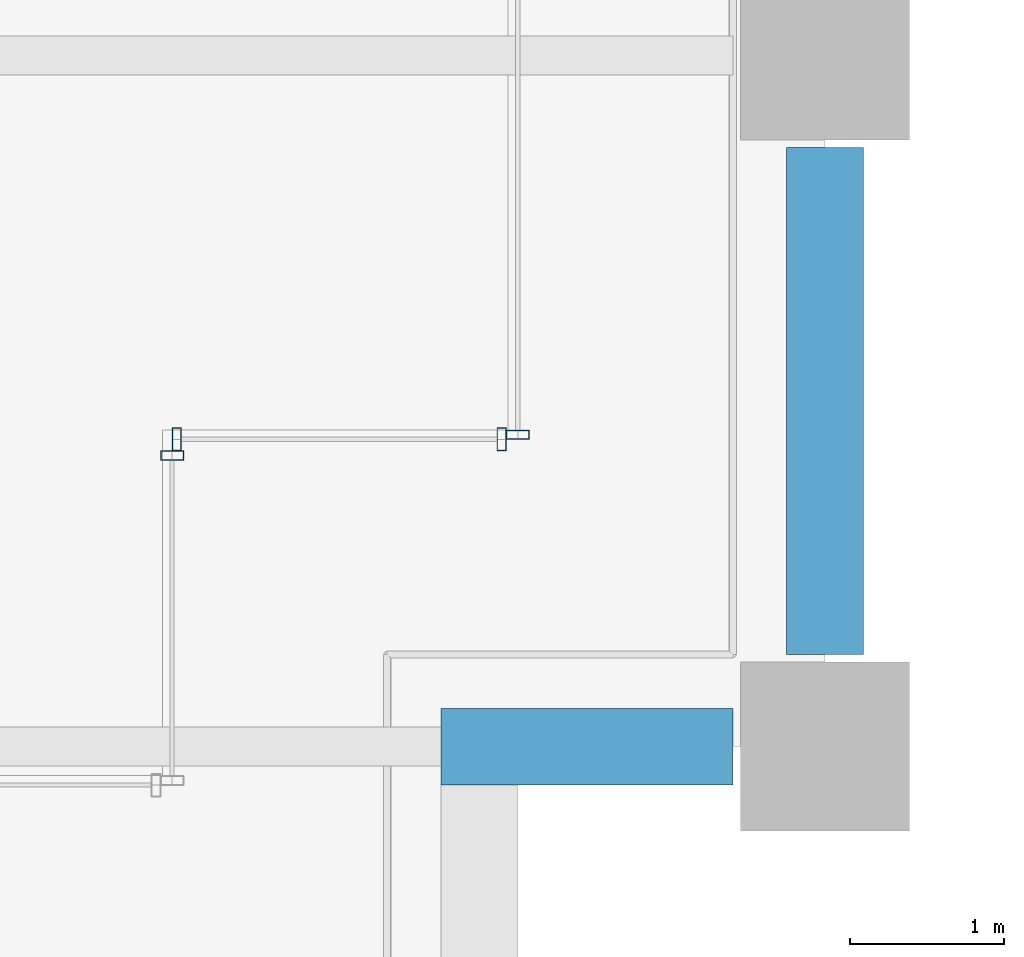
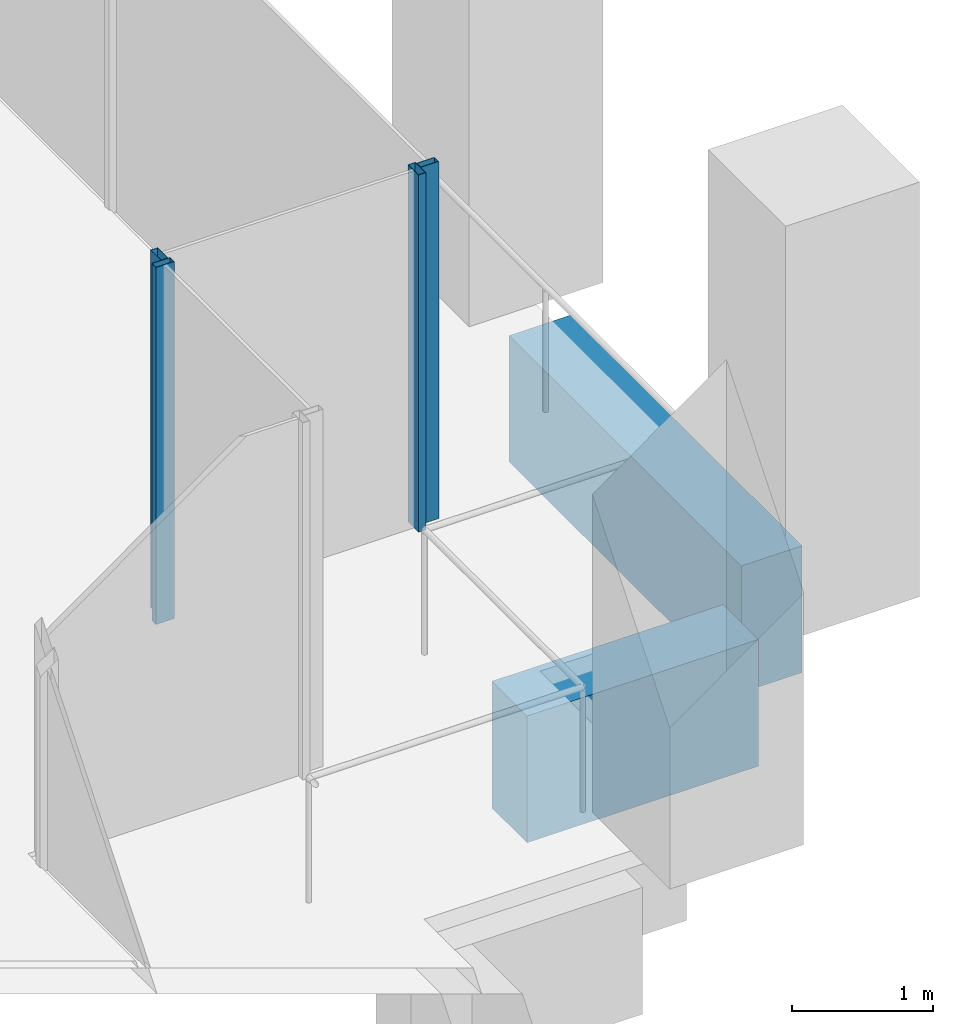
# One storey, part 16 of 55: 4 members, 2 beams, 3 elements without a shape of their own.
"""IFC4 building model written with IfcOpenShell, lengths in metres."""

from ifc_helpers import new_model, si_unit, direction, frame, origin, origin_2d, place, context, subcontext, project, spatial, rectangle, hollow_rectangle, extrude, material, material_profile, profile_set, type_object, element, aggregate, save


model = new_model("IFC4")

# Units and contexts
model_context = context("Model", 3, precision=1e-05, world=origin(), true_north=direction((0.0, 1.0)))
body_context = subcontext(model_context, "Body", "Model", "MODEL_VIEW")
ifc_project = project(units=[si_unit("LENGTHUNIT", "METRE"), si_unit("AREAUNIT", "SQUARE_METRE"), si_unit("VOLUMEUNIT", "CUBIC_METRE"), si_unit("PLANEANGLEUNIT", "RADIAN"), si_unit("MASSUNIT", "GRAM", prefix="KILO")], contexts=[model_context])

# Site, building, storey
site_placement = place(None, origin())
site = spatial("IfcSite", under=ifc_project, at=site_placement, CompositionType="ELEMENT")
building_placement = place(site_placement, origin())
building = spatial("IfcBuilding", under=site, at=building_placement, Name="Altepetl Exchange Towers", CompositionType="ELEMENT")
storey_placement = place(building_placement, frame((0.0, 0.0, 47.39990234375)))
storey = spatial("IfcBuildingStorey", under=building, at=storey_placement, Name="L10", CompositionType="ELEMENT", Elevation=47.39990234375)

# Curtain wall, member
ifc_material_1 = material(Name="Aluminium 6063-T6 glazing", Category="aluminium")
curtain_wall_type = type_object("IfcCurtainWallType", Name="Loggia glazing system", PredefinedType="NOTDEFINED", material=ifc_material_1)
curtain_wall_1_placement = place(storey_placement, origin())
curtain_wall_1 = element("IfcCurtainWall", 1, at=curtain_wall_1_placement, inside=storey, type_object=curtain_wall_type, Name="CW1 run", PredefinedType="NOTDEFINED")
ifc_material_2 = material(Name="Aluminium 6063-T6", Category="aluminium")
ifc_material_profile_1 = material_profile(ifc_material_2, hollow_rectangle(XDim=0.06005859375, YDim=0.14990234375, WallThickness=0.0029296875, at=origin_2d()), Name="Mullion 60x150 aluminium")
ifc_profile_set_1 = profile_set([ifc_material_profile_1], Name="Aluminium 6063-T6")
member_type = type_object("IfcMemberType", Name="Mullion 60x150 aluminium", PredefinedType="MULLION", material=ifc_profile_set_1)
member_1_placement = place(storey_placement, frame((67.75, 33.39501953125, 0.0), z_axis=(0.0, 0.0, 1.0), x_axis=(0.0, 1.0, 0.0)))
member_1 = element("IfcMember", 2, at=member_1_placement, type_object=member_type, Name="MU1 mullion", PredefinedType="MULLION", context=body_context, shape_type="SweptSolid", body=[
    extrude(hollow_rectangle(XDim=0.06005859375, YDim=0.14990234375, WallThickness=0.0029296875, at=origin_2d()), origin(), (0.0, 0.0, 1.0), 3.10009765625),
])
aggregate(curtain_wall_1, [member_1])

# Curtain wall, members
curtain_wall_2_placement = place(storey_placement, origin())
curtain_wall_2 = element("IfcCurtainWall", 3, at=curtain_wall_2_placement, inside=storey, type_object=curtain_wall_type, Name="CW1 run", PredefinedType="NOTDEFINED")
member_2_placement = place(storey_placement, frame((67.780029296875, 33.5, 0.0)))
member_2 = element("IfcMember", 4, at=member_2_placement, type_object=member_type, Name="MU1 mullion", PredefinedType="MULLION", context=body_context, shape_type="SweptSolid", body=[
    extrude(hollow_rectangle(XDim=0.06005859375, YDim=0.14990234375, WallThickness=0.0029296875, at=origin_2d()), origin(), (0.0, 0.0, 1.0), 3.10009765625),
])
member_3_placement = place(storey_placement, frame((69.89501953125, 33.5, 0.0)))
member_3 = element("IfcMember", 5, at=member_3_placement, type_object=member_type, Name="MU1 mullion", PredefinedType="MULLION", context=body_context, shape_type="SweptSolid", body=[
    extrude(hollow_rectangle(XDim=0.06005859375, YDim=0.14990234375, WallThickness=0.0029296875, at=origin_2d()), origin(), (0.0, 0.0, 1.0), 3.10009765625),
])
aggregate(curtain_wall_2, [member_2, member_3])

# Curtain wall, member
curtain_wall_3_placement = place(storey_placement, origin())
curtain_wall_3 = element("IfcCurtainWall", 6, at=curtain_wall_3_placement, inside=storey, type_object=curtain_wall_type, Name="CW1 run", PredefinedType="NOTDEFINED")
member_4_placement = place(storey_placement, frame((70.0, 33.530029296875, 0.0), z_axis=(0.0, 0.0, 1.0), x_axis=(0.0, 1.0, 0.0)))
member_4 = element("IfcMember", 7, at=member_4_placement, type_object=member_type, Name="MU1 mullion", PredefinedType="MULLION", context=body_context, shape_type="SweptSolid", body=[
    extrude(hollow_rectangle(XDim=0.06005859375, YDim=0.14990234375, WallThickness=0.0029296875, at=origin_2d()), origin(), (0.0, 0.0, 1.0), 3.10009765625),
])
aggregate(curtain_wall_3, [member_4])

# Beams
ifc_material_3 = material(Name="Concrete C50/60 precast with cantera amarilla facing", Category="concrete")
ifc_material_profile_2 = material_profile(ifc_material_3, rectangle(XDim=0.5, YDim=1.10009765625, at=origin_2d()), Name="500 x 1100")
ifc_profile_set_2 = profile_set([ifc_material_profile_2], Name="Concrete C50/60 precast with cantera amarilla facing")
beam_type = type_object("IfcBeamType", Name="Spandrel beam 500x1100 cantera amarilla", PredefinedType="SPANDREL", material=ifc_profile_set_2)
beam_1_placement = place(storey_placement, frame((69.5, 31.5, -0.699951171875), z_axis=(1.0, 0.0, 0.0), x_axis=(0.0, 1.0, 0.0)))
element("IfcBeam", 8, at=beam_1_placement, inside=storey, type_object=beam_type, Name="sp:A:L10:011", PredefinedType="SPANDREL", context=body_context, shape_type="SweptSolid", body=[
    extrude(rectangle(XDim=0.5, YDim=1.10009765625, at=origin_2d()), origin(), (0.0, 0.0, 1.0), 1.89990234375),
])
beam_2_placement = place(storey_placement, frame((72.0, 32.10009765625, -0.699951171875), z_axis=(0.0, 1.0, 0.0), x_axis=(-1.0, 0.0, 0.0)))
element("IfcBeam", 9, at=beam_2_placement, inside=storey, type_object=beam_type, Name="sp:A:L10:012", PredefinedType="SPANDREL", context=body_context, shape_type="SweptSolid", body=[
    extrude(rectangle(XDim=0.5, YDim=1.10009765625, at=origin_2d()), origin(), (0.0, 0.0, 1.0), 3.2998046875),
])

save(model, "model.ifc")
